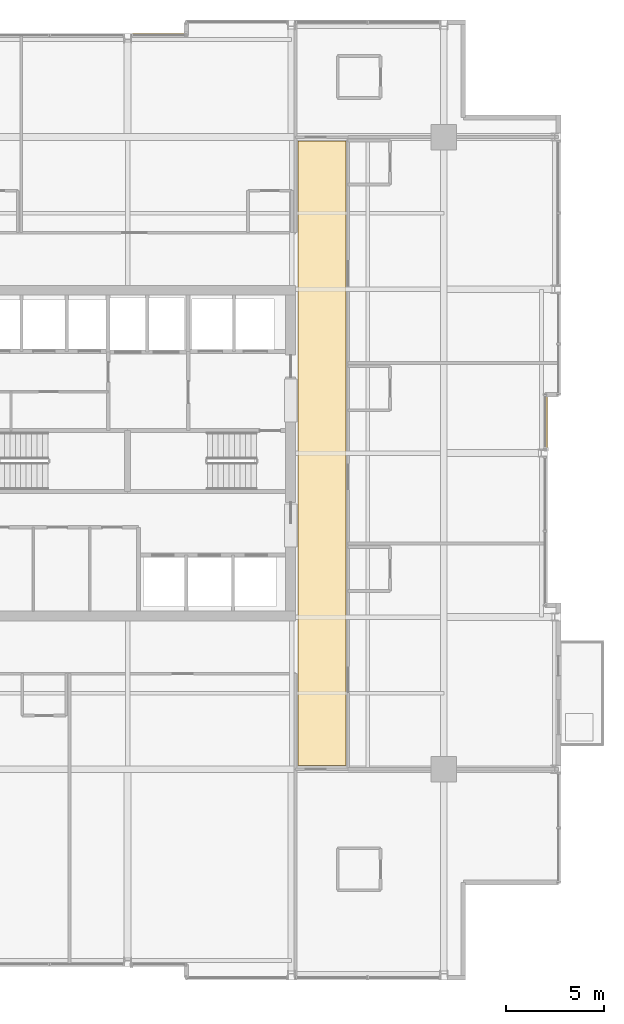
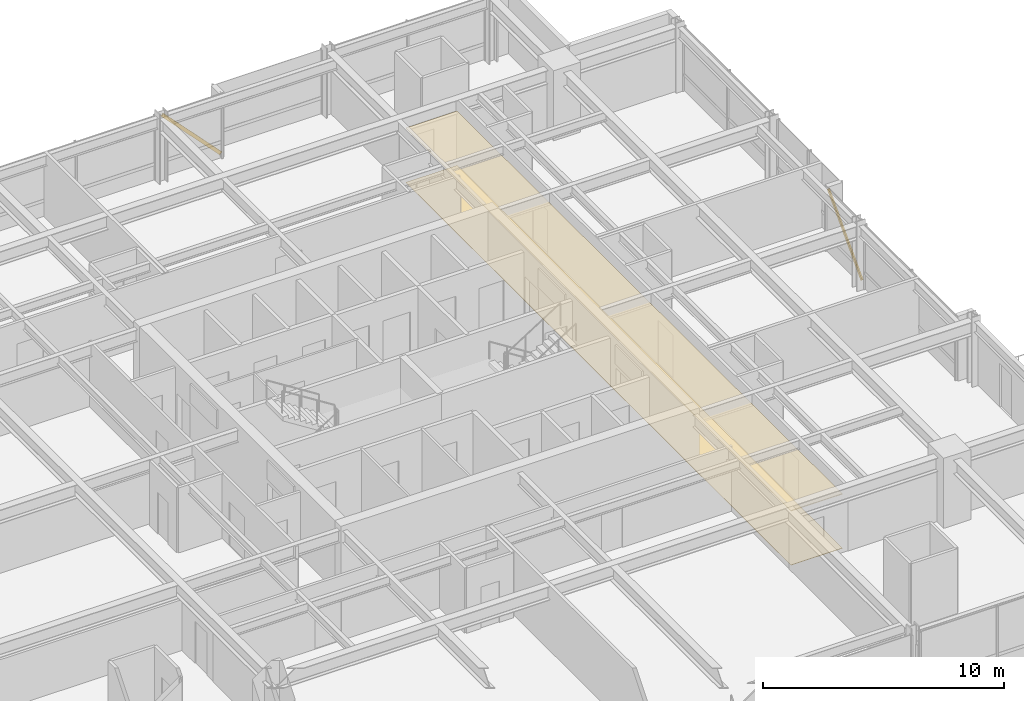
# One storey, part 33 of 33: 2 coverings, 2 shading devices.
"""IFC4 building model written with IfcOpenShell, lengths in metres."""

from ifc_helpers import new_model, si_unit, direction, frame, origin, origin_2d, place, context, subcontext, project, spatial, polyline, hollow_rectangle, outline, extrude, material, layer, layer_set, material_profile, profile_set, type_object, element, save


model = new_model("IFC4")

# Units and contexts
model_context = context("Model", 3, precision=1e-05, world=origin(), true_north=direction((0.0, 1.0)))
body_context = subcontext(model_context, "Body", "Model", "MODEL_VIEW")
ifc_project = project(units=[si_unit("LENGTHUNIT", "METRE"), si_unit("AREAUNIT", "SQUARE_METRE"), si_unit("VOLUMEUNIT", "CUBIC_METRE"), si_unit("PLANEANGLEUNIT", "RADIAN"), si_unit("MASSUNIT", "GRAM", prefix="KILO")], contexts=[model_context])

# Site, building, storey
site_placement = place(None, origin())
site = spatial("IfcSite", under=ifc_project, at=site_placement, CompositionType="ELEMENT")
building_placement = place(site_placement, origin())
building = spatial("IfcBuilding", under=site, at=building_placement, Name="Drelvath Grand Hotel", CompositionType="ELEMENT")
storey_placement = place(building_placement, frame((0.0, 0.0, 168.14990234375)))
storey = spatial("IfcBuildingStorey", under=building, at=storey_placement, Name="L43", CompositionType="ELEMENT", Elevation=168.14990234375)

# Shading devices
ifc_material_1 = material(Name="Brushed Pale-Silver Anodised Aluminium", Category="aluminium")
ifc_material_profile = material_profile(ifc_material_1, hollow_rectangle(XDim=0.06494140625, YDim=0.159912109375, WallThickness=0.00390625, at=origin_2d()), Name="HSS160X65X4")
ifc_profile_set = profile_set([ifc_material_profile], Name="Brushed Pale-Silver Anodised Aluminium")
shading_device_type = type_object("IfcShadingDeviceType", Name="Diagonal Solar Fin Pale-Silver Anodised HSS160X65X4", PredefinedType="USERDEFINED", material=ifc_profile_set)
for number, where, z_axis, x_axis, name in (
    (1, (21.47998046875, 27.2001953125, 0.18017578125), (0.0, 0.690869667708, 0.722979323523), (-1.0, 0.0, 0.0), "L43 Diagonal Anodised Fin CW04-L43-EM2"),
    (2, (3.0, 48.47998046875, 0.18017578125), (-0.690869667708, 0.0, 0.722979323523), (0.0, -1.0, 0.0), "L43 Diagonal Anodised Fin CW04-L43-NM2"),
):
    element("IfcShadingDevice", number, at=place(storey_placement, frame(where, z_axis=z_axis, x_axis=x_axis)), inside=storey, type_object=shading_device_type, Name=name, ObjectType="FIN", PredefinedType="USERDEFINED", context=body_context, shape_type="SweptSolid", body=[
        extrude(hollow_rectangle(XDim=0.06494140625, YDim=0.159912109375, WallThickness=0.00390625, at=origin_2d()), origin(), (0.0, 0.0, 1.0), 4.052490234375),
    ])

# Coverings
ifc_material_2 = material(Name="Woven Wool Broadloom Carpet")
ifc_layer_1 = layer(ifc_material_2, 0.01806640625)
ifc_layer_set_1 = layer_set([ifc_layer_1], Name="Woven Wool Broadloom Carpet")
covering_type_1 = type_object("IfcCoveringType", Name="Hospitality Broadloom Carpet 18", PredefinedType="FLOORING", material=ifc_layer_set_1)
covering_1_placement = place(storey_placement, origin())
element("IfcCovering", 3, at=covering_1_placement, inside=storey, type_object=covering_type_1, Name="L43 East Spine Carpet", PredefinedType="FLOORING", context=body_context, shape_type="SweptSolid", body=[
    extrude(outline(polyline([(11.179931640625, 11.0), (11.179931640625, 43.0), (8.719970703125, 43.0), (8.719970703125, 11.0), (11.179931640625, 11.0)])), origin(), (0.0, 0.0, 1.0), 0.01806640625),
])
ifc_material_3 = material(Name="Anodised Aluminium Alloy", Category="aluminium")
ifc_layer_2 = layer(ifc_material_3, 0.0400390625)
ifc_layer_set_2 = layer_set([ifc_layer_2], Name="Anodised Aluminium Alloy")
covering_type_2 = type_object("IfcCoveringType", Name="Perforated Metal Corridor Ceiling 40", PredefinedType="CEILING", material=ifc_layer_set_2)
covering_2_placement = place(storey_placement, frame((0.0, 0.0, 2.739990234375)))
element("IfcCovering", 4, at=covering_2_placement, inside=storey, type_object=covering_type_2, Name="L43 East Spine Ceiling", PredefinedType="CEILING", context=body_context, shape_type="SweptSolid", body=[
    extrude(outline(polyline([(11.179931640625, 11.0), (11.179931640625, 43.0), (8.719970703125, 43.0), (8.719970703125, 11.0), (11.179931640625, 11.0)])), origin(), (0.0, 0.0, 1.0), 0.0400390625),
])

save(model, "model.ifc")
